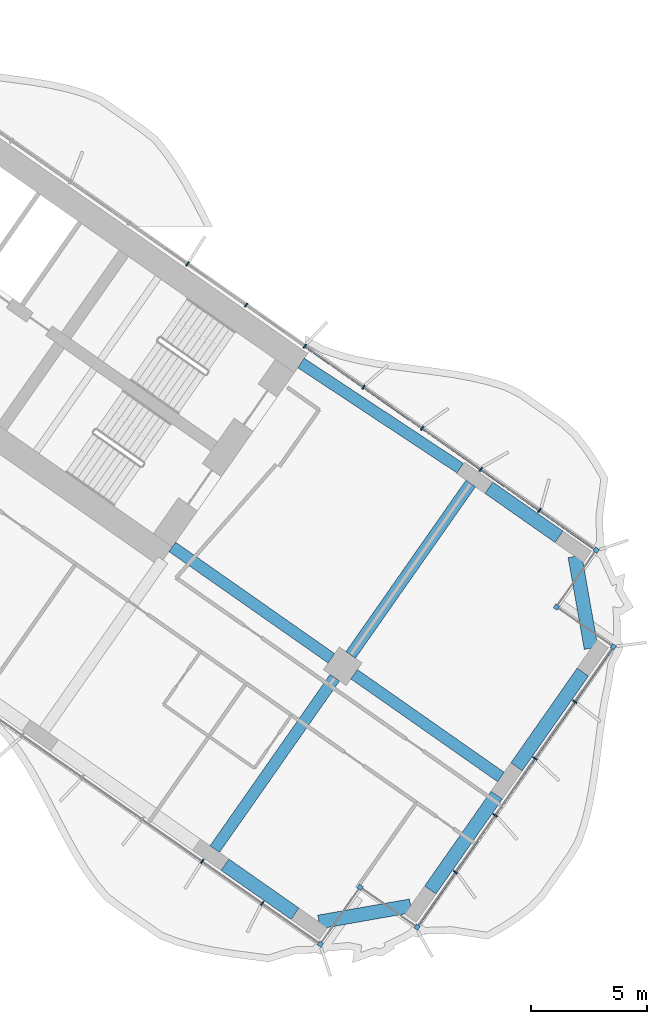
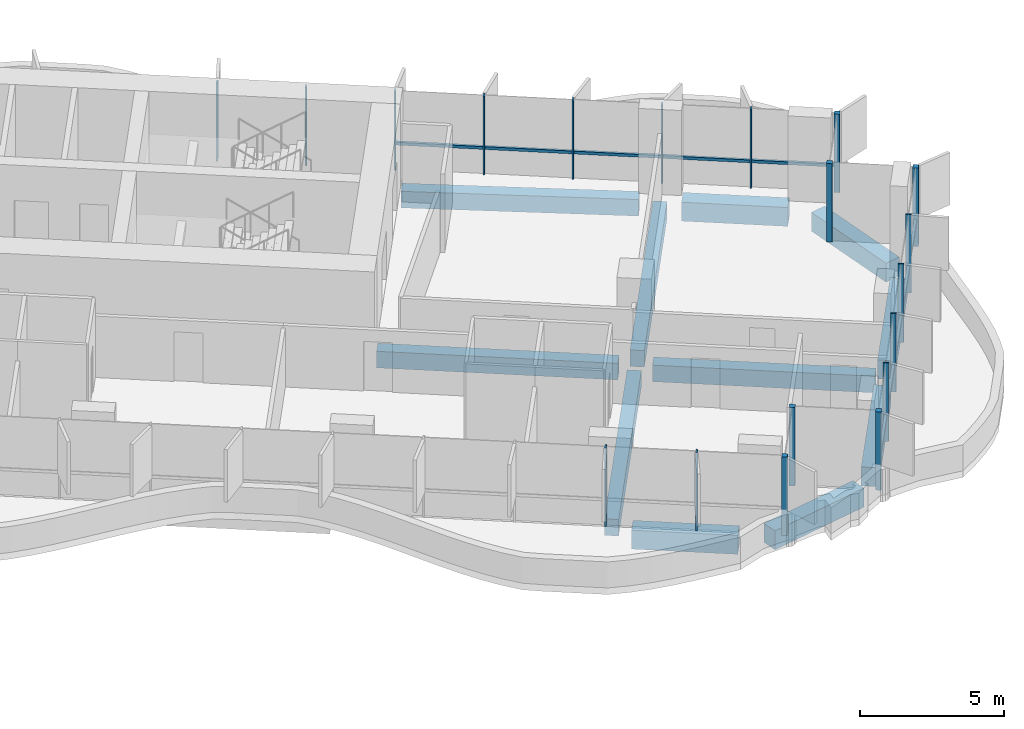
# One storey, part 9 of 22: 21 members, 11 beams, 2 elements without a shape of their own.
"""IFC4 building model written with IfcOpenShell, lengths in metres."""

from ifc_helpers import new_model, si_unit, direction, frame, origin, origin_2d, place, context, subcontext, project, spatial, rectangle, extrude, material, material_profile, profile_set, type_object, element, aggregate, save


model = new_model("IFC4")

# Units and contexts
model_context = context("Model", 3, precision=1e-05, world=origin(), true_north=direction((0.0, 1.0)))
body_context = subcontext(model_context, "Body", "Model", "MODEL_VIEW")
ifc_project = project(units=[si_unit("LENGTHUNIT", "METRE"), si_unit("AREAUNIT", "SQUARE_METRE"), si_unit("VOLUMEUNIT", "CUBIC_METRE"), si_unit("PLANEANGLEUNIT", "RADIAN"), si_unit("MASSUNIT", "GRAM", prefix="KILO")], contexts=[model_context])

# Site, building, storey
site_placement = place(None, origin())
site = spatial("IfcSite", under=ifc_project, at=site_placement, CompositionType="ELEMENT")
building_placement = place(site_placement, origin())
building = spatial("IfcBuilding", under=site, at=building_placement, Name="Tel Ilan Convention Tower", CompositionType="ELEMENT")
storey_placement = place(building_placement, frame((0.0, 0.0, 122.89990234375)))
storey = spatial("IfcBuildingStorey", under=building, at=storey_placement, Name="L27", CompositionType="ELEMENT", Elevation=122.89990234375)

# Beams
ifc_material_1 = material(Name="Concrete C40/50", Category="concrete")
ifc_material_profile_1 = material_profile(ifc_material_1, rectangle(XDim=0.5, YDim=0.699951171875, at=origin_2d()), Name="RC 500x700")
ifc_profile_set_1 = profile_set([ifc_material_profile_1], Name="Concrete C40/50")
beam_type_1 = type_object("IfcBeamType", Name="Beam RC 500x700 Concrete C40/50", PredefinedType="BEAM", material=ifc_profile_set_1)
beam_1_placement = place(storey_placement, frame((34.570556640625, -12.08447265625, -0.6298828125), z_axis=(-0.834273603487, 0.551350663847, 0.0), x_axis=(-0.551350663847, -0.834273603487, 0.0)))
element("IfcBeam", 1, at=beam_1_placement, inside=storey, type_object=beam_type_1, Name="L27 beam E-E-B4-core", PredefinedType="BEAM", context=body_context, shape_type="SweptSolid", body=[
    extrude(rectangle(XDim=0.5, YDim=0.699951171875, at=origin_2d()), origin(), (0.0, 0.0, 1.0), 8.2529296875),
])
beam_2_placement = place(storey_placement, frame((22.1171875, -15.486572265625, -0.6298828125), z_axis=(0.819147254605, -0.573583276668, 0.0), x_axis=(0.573583276668, 0.819147254605, 0.0)))
element("IfcBeam", 2, at=beam_2_placement, inside=storey, type_object=beam_type_1, Name="L27 beam E-core-E-M4", PredefinedType="BEAM", context=body_context, shape_type="SweptSolid", body=[
    extrude(rectangle(XDim=0.5, YDim=0.699951171875, at=origin_2d()), origin(), (0.0, 0.0, 1.0), 8.400146484375),
])
beam_3_placement = place(storey_placement, frame((29.98095703125, -20.992919921875, -0.6298828125), z_axis=(0.819159394801, -0.573565938589, 0.0), x_axis=(0.573565938589, 0.819159394801, 0.0)))
element("IfcBeam", 3, at=beam_3_placement, inside=storey, type_object=beam_type_1, Name="L27 beam E-E-M4-end", PredefinedType="BEAM", context=body_context, shape_type="SweptSolid", body=[
    extrude(rectangle(XDim=0.5, YDim=0.699951171875, at=origin_2d()), origin(), (0.0, 0.0, 1.0), 7.75),
])
for number, where, z_axis, x_axis, name in (
    (4, (29.145263671875, -21.14013671875, -0.6298828125), (-0.573549245583, -0.819171082798, 0.0), (0.819171082798, -0.573549245583, 0.0), "L27 beam E-E-M4-E-F4"),
    (5, (29.83349609375, -20.1572265625, -0.6298828125), (0.57358002233, 0.819149533348, 0.0), (-0.819149533348, 0.57358002233, 0.0), "L27 beam E-E-M4-E-B4"),
):
    element("IfcBeam", number, at=place(storey_placement, frame(where, z_axis=z_axis, x_axis=x_axis)), inside=storey, type_object=beam_type_1, Name=name, PredefinedType="BEAM", context=body_context, shape_type="SweptSolid", body=[
        extrude(rectangle(XDim=0.5, YDim=0.699951171875, at=origin_2d()), origin(), (0.0, 0.0, 1.0), 9.050048828125),
    ])
ifc_material_2 = material(Name="Concrete C40/50", Category="concrete")
ifc_material_profile_2 = material_profile(ifc_material_2, rectangle(XDim=0.60009765625, YDim=0.800048828125, at=origin_2d()), Name="RC 600x800")
ifc_profile_set_2 = profile_set([ifc_material_profile_2], Name="Concrete C40/50")
beam_type_2 = type_object("IfcBeamType", Name="Beam RC 600x800 Concrete C40/50", PredefinedType="BEAM", material=ifc_profile_set_2)
beam_4_placement = place(storey_placement, frame((24.396728515625, -29.2294921875, -0.679931640625), z_axis=(0.819132709951, -0.573604047656, 0.0), x_axis=(0.573604047656, 0.819132709951, 0.0)))
element("IfcBeam", 6, at=beam_4_placement, inside=storey, type_object=beam_type_2, Name="L27 beam E-E-F4-E-FC", PredefinedType="BEAM", context=body_context, shape_type="SweptSolid", body=[
    extrude(rectangle(XDim=0.60009765625, YDim=0.800048828125, at=origin_2d()), origin(), (0.0, 0.0, 1.0), 3.699951171875),
])
beam_5_placement = place(storey_placement, frame((28.459716796875, -31.708251953125, -0.679931640625), z_axis=(0.984806721117, 0.173654029734, 0.0), x_axis=(-0.173654029734, 0.984806721117, 0.0)))
element("IfcBeam", 7, at=beam_5_placement, inside=storey, type_object=beam_type_2, Name="L27 beam E-E-FC-E-E1", PredefinedType="BEAM", context=body_context, shape_type="SweptSolid", body=[
    extrude(rectangle(XDim=0.60009765625, YDim=0.800048828125, at=origin_2d()), origin(), (0.0, 0.0, 1.0), 4.03076171875),
])
for number, where, z_axis, x_axis, name in (
    (8, (33.277099609375, -30.3203125, -0.679931640625), (0.573586866468, 0.819144740944, 0.0), (-0.819144740944, 0.573586866468, 0.0), "L27 beam E-E-E1-E-E2"),
    (9, (37.00537109375, -24.995849609375, -0.679931640625), (0.573586866468, 0.819144740944, 0.0), (-0.819144740944, 0.573586866468, 0.0), "L27 beam E-E-E2-E-E3"),
):
    element("IfcBeam", number, at=place(storey_placement, frame(where, z_axis=z_axis, x_axis=x_axis)), inside=storey, type_object=beam_type_2, Name=name, PredefinedType="BEAM", context=body_context, shape_type="SweptSolid", body=[
        extrude(rectangle(XDim=0.60009765625, YDim=0.800048828125, at=origin_2d()), origin(), (0.0, 0.0, 1.0), 5.0),
    ])
beam_6_placement = place(storey_placement, frame((40.229736328125, -19.867919921875, -0.679931640625), z_axis=(-0.173664388751, 0.984804894423, 0.0), x_axis=(-0.984804894423, -0.173664388751, 0.0)))
element("IfcBeam", 10, at=beam_6_placement, inside=storey, type_object=beam_type_2, Name="L27 beam E-E-E3-E-BC", PredefinedType="BEAM", context=body_context, shape_type="SweptSolid", body=[
    extrude(rectangle(XDim=0.60009765625, YDim=0.800048828125, at=origin_2d()), origin(), (0.0, 0.0, 1.0), 4.030517578125),
])
beam_7_placement = place(storey_placement, frame((38.841796875, -15.050537109375, -0.679931640625), z_axis=(-0.819185419371, 0.573528768842, 0.0), x_axis=(-0.573528768842, -0.819185419371, 0.0)))
element("IfcBeam", 11, at=beam_7_placement, inside=storey, type_object=beam_type_2, Name="L27 beam E-E-BC-E-B4", PredefinedType="BEAM", context=body_context, shape_type="SweptSolid", body=[
    extrude(rectangle(XDim=0.60009765625, YDim=0.800048828125, at=origin_2d()), origin(), (0.0, 0.0, 1.0), 3.699951171875),
])

# Curtain wall, members
ifc_material_3 = material(Name="Aluminium, bronze anodised", Category="aluminium")
curtain_wall_type_1 = type_object("IfcCurtainWallType", Name="CW1 UNITISED CURTAIN WALL, HOTEL TINTED GLASS", PredefinedType="NOTDEFINED", material=ifc_material_3)
curtain_wall_1_placement = place(storey_placement, origin())
curtain_wall_1 = element("IfcCurtainWall", 12, at=curtain_wall_1_placement, inside=storey, type_object=curtain_wall_type_1, Name="Curtain wall CW1-21.02", PredefinedType="NOTDEFINED")
ifc_material_4 = material(Name="Aluminium, bronze anodised", Category="aluminium")
ifc_material_profile_3 = material_profile(ifc_material_4, rectangle(XDim=0.199951171875, YDim=0.199951171875, at=origin_2d()), Name="CW CORNER MULLION 200x200")
ifc_profile_set_3 = profile_set([ifc_material_profile_3], Name="Aluminium, bronze anodised")
member_type_1 = type_object("IfcMemberType", Name="CW CORNER MULLION 200x200", PredefinedType="MULLION", material=ifc_profile_set_3)
member_1_placement = place(storey_placement, frame((28.52099609375, -32.666748046875, 0.0), z_axis=(0.0, 0.0, 1.0), x_axis=(0.819152044289, -0.573576436351, 0.0)))
member_1 = element("IfcMember", 13, at=member_1_placement, type_object=member_type_1, Name="Corner mullion", PredefinedType="MULLION", context=body_context, shape_type="SweptSolid", body=[
    extrude(rectangle(XDim=0.199951171875, YDim=0.199951171875, at=origin_2d()), origin(), (0.0, 0.0, 1.0), 3.320068359375),
])
member_2_placement = place(storey_placement, frame((30.241943359375, -30.209228515625, 0.0), z_axis=(0.0, 0.0, 1.0), x_axis=(0.573576436351, 0.819152044289, 0.0)))
member_2 = element("IfcMember", 14, at=member_2_placement, type_object=member_type_1, Name="Corner mullion", PredefinedType="MULLION", context=body_context, shape_type="SweptSolid", body=[
    extrude(rectangle(XDim=0.199951171875, YDim=0.199951171875, at=origin_2d()), origin(), (0.0, 0.0, 1.0), 3.320068359375),
])
member_3_placement = place(storey_placement, frame((32.69921875, -31.929931640625, 0.0), z_axis=(0.0, 0.0, 1.0), x_axis=(0.819152044289, -0.573576436351, 0.0)))
member_3 = element("IfcMember", 15, at=member_3_placement, type_object=member_type_1, Name="Corner mullion", PredefinedType="MULLION", context=body_context, shape_type="SweptSolid", body=[
    extrude(rectangle(XDim=0.199951171875, YDim=0.199951171875, at=origin_2d()), origin(), (0.0, 0.0, 1.0), 3.320068359375),
])
member_4_placement = place(storey_placement, frame((41.188232421875, -19.806640625, 0.0), z_axis=(0.0, 0.0, 1.0), x_axis=(0.573576436351, 0.819152044289, 0.0)))
member_4 = element("IfcMember", 16, at=member_4_placement, type_object=member_type_1, Name="Corner mullion", PredefinedType="MULLION", context=body_context, shape_type="SweptSolid", body=[
    extrude(rectangle(XDim=0.199951171875, YDim=0.199951171875, at=origin_2d()), origin(), (0.0, 0.0, 1.0), 3.320068359375),
])
member_5_placement = place(storey_placement, frame((38.730712890625, -18.0859375, 0.0), z_axis=(0.0, 0.0, 1.0), x_axis=(-0.819152044289, 0.573576436351, 0.0)))
member_5 = element("IfcMember", 17, at=member_5_placement, type_object=member_type_1, Name="Corner mullion", PredefinedType="MULLION", context=body_context, shape_type="SweptSolid", body=[
    extrude(rectangle(XDim=0.199951171875, YDim=0.199951171875, at=origin_2d()), origin(), (0.0, 0.0, 1.0), 3.320068359375),
])
member_6_placement = place(storey_placement, frame((40.451416015625, -15.62841796875, 0.0), z_axis=(0.0, 0.0, 1.0), x_axis=(0.573576436351, 0.819152044289, 0.0)))
member_6 = element("IfcMember", 18, at=member_6_placement, type_object=member_type_1, Name="Corner mullion", PredefinedType="MULLION", context=body_context, shape_type="SweptSolid", body=[
    extrude(rectangle(XDim=0.199951171875, YDim=0.199951171875, at=origin_2d()), origin(), (0.0, 0.0, 1.0), 3.320068359375),
])

ifc_material_5 = material(Name="Aluminium, bronze anodised", Category="aluminium")
curtain_wall_type_2 = type_object("IfcCurtainWallType", Name="CW2 STICK CURTAIN WALL, SPANDREL PANELS", PredefinedType="NOTDEFINED", material=ifc_material_5)
curtain_wall_2_placement = place(storey_placement, origin())
curtain_wall_2 = element("IfcCurtainWall", 19, at=curtain_wall_2_placement, inside=storey, type_object=curtain_wall_type_2, Name="Curtain wall CW2-21.01", PredefinedType="NOTDEFINED")
ifc_material_6 = material(Name="Aluminium, bronze anodised", Category="aluminium")
ifc_material_profile_4 = material_profile(ifc_material_6, rectangle(XDim=0.06005859375, YDim=0.199951171875, at=origin_2d()), Name="CW MULLION 60x200")
ifc_profile_set_4 = profile_set([ifc_material_profile_4], Name="Aluminium, bronze anodised")
member_type_2 = type_object("IfcMemberType", Name="CW MULLION 60x200", PredefinedType="MULLION", material=ifc_profile_set_4)
member_7_placement = place(storey_placement, frame((27.848876953125, -6.803955078125, 0.0), z_axis=(0.0, 0.0, 1.0), x_axis=(-0.819152044289, 0.573576436351, 0.0)))
member_7 = element("IfcMember", 20, at=member_7_placement, type_object=member_type_2, Name="Mullion", PredefinedType="MULLION", context=body_context, shape_type="SweptSolid", body=[
    extrude(rectangle(XDim=0.06005859375, YDim=0.199951171875, at=origin_2d()), origin(), (0.0, 0.0, 1.0), 3.320068359375),
])
member_8_placement = place(storey_placement, frame((25.311767578125, -5.027587890625, 0.0), z_axis=(0.0, 0.0, 1.0), x_axis=(-0.819152044289, 0.573576436351, 0.0)))
member_8 = element("IfcMember", 21, at=member_8_placement, type_object=member_type_2, Name="Mullion", PredefinedType="MULLION", context=body_context, shape_type="SweptSolid", body=[
    extrude(rectangle(XDim=0.06005859375, YDim=0.199951171875, at=origin_2d()), origin(), (0.0, 0.0, 1.0), 3.320068359375),
])
member_9_placement = place(storey_placement, frame((22.77490234375, -3.251220703125, 0.0), z_axis=(0.0, 0.0, 1.0), x_axis=(-0.819152044289, 0.573576436351, 0.0)))
member_9 = element("IfcMember", 22, at=member_9_placement, type_object=member_type_2, Name="Mullion", PredefinedType="MULLION", context=body_context, shape_type="SweptSolid", body=[
    extrude(rectangle(XDim=0.06005859375, YDim=0.199951171875, at=origin_2d()), origin(), (0.0, 0.0, 1.0), 3.320068359375),
])
aggregate(curtain_wall_2, [member_7, member_8, member_9])

# Member
member_10_placement = place(storey_placement, frame((23.412841796875, -29.08984375, 0.0), z_axis=(0.0, 0.0, 1.0), x_axis=(0.819152044289, -0.573576436351, 0.0)))
member_10 = element("IfcMember", 23, at=member_10_placement, type_object=member_type_2, Name="Mullion", PredefinedType="MULLION", context=body_context, shape_type="SweptSolid", body=[
    extrude(rectangle(XDim=0.06005859375, YDim=0.199951171875, at=origin_2d()), origin(), (0.0, 0.0, 1.0), 3.320068359375),
])

member_11_placement = place(storey_placement, frame((26.008056640625, -30.906982421875, 0.0), z_axis=(0.0, 0.0, 1.0), x_axis=(0.819152044289, -0.573576436351, 0.0)))
member_11 = element("IfcMember", 24, at=member_11_placement, type_object=member_type_2, Name="Mullion", PredefinedType="MULLION", context=body_context, shape_type="SweptSolid", body=[
    extrude(rectangle(XDim=0.06005859375, YDim=0.199951171875, at=origin_2d()), origin(), (0.0, 0.0, 1.0), 3.320068359375),
])

member_12_placement = place(storey_placement, frame((34.362548828125, -29.554443359375, 0.0), z_axis=(0.0, 0.0, 1.0), x_axis=(0.573576436351, 0.819152044289, 0.0)))
member_12 = element("IfcMember", 25, at=member_12_placement, type_object=member_type_2, Name="Mullion", PredefinedType="MULLION", context=body_context, shape_type="SweptSolid", body=[
    extrude(rectangle(XDim=0.06005859375, YDim=0.199951171875, at=origin_2d()), origin(), (0.0, 0.0, 1.0), 3.320068359375),
])

member_13_placement = place(storey_placement, frame((36.08349609375, -27.096923828125, 0.0), z_axis=(0.0, 0.0, 1.0), x_axis=(0.573576436351, 0.819152044289, 0.0)))
member_13 = element("IfcMember", 26, at=member_13_placement, type_object=member_type_2, Name="Mullion", PredefinedType="MULLION", context=body_context, shape_type="SweptSolid", body=[
    extrude(rectangle(XDim=0.06005859375, YDim=0.199951171875, at=origin_2d()), origin(), (0.0, 0.0, 1.0), 3.320068359375),
])

member_14_placement = place(storey_placement, frame((37.80419921875, -24.6396484375, 0.0), z_axis=(0.0, 0.0, 1.0), x_axis=(0.573576436351, 0.819152044289, 0.0)))
member_14 = element("IfcMember", 27, at=member_14_placement, type_object=member_type_2, Name="Mullion", PredefinedType="MULLION", context=body_context, shape_type="SweptSolid", body=[
    extrude(rectangle(XDim=0.06005859375, YDim=0.199951171875, at=origin_2d()), origin(), (0.0, 0.0, 1.0), 3.320068359375),
])

member_15_placement = place(storey_placement, frame((39.52490234375, -22.18212890625, 0.0), z_axis=(0.0, 0.0, 1.0), x_axis=(0.573576436351, 0.819152044289, 0.0)))
member_15 = element("IfcMember", 28, at=member_15_placement, type_object=member_type_2, Name="Mullion", PredefinedType="MULLION", context=body_context, shape_type="SweptSolid", body=[
    extrude(rectangle(XDim=0.06005859375, YDim=0.199951171875, at=origin_2d()), origin(), (0.0, 0.0, 1.0), 3.320068359375),
])

member_16_placement = place(storey_placement, frame((37.99658203125, -13.909423828125, 0.0), z_axis=(0.0, 0.0, 1.0), x_axis=(-0.819152044289, 0.573576436351, 0.0)))
member_16 = element("IfcMember", 29, at=member_16_placement, type_object=member_type_2, Name="Mullion", PredefinedType="MULLION", context=body_context, shape_type="SweptSolid", body=[
    extrude(rectangle(XDim=0.06005859375, YDim=0.199951171875, at=origin_2d()), origin(), (0.0, 0.0, 1.0), 3.320068359375),
])

member_17_placement = place(storey_placement, frame((35.45947265625, -12.133056640625, 0.0), z_axis=(0.0, 0.0, 1.0), x_axis=(-0.819152044289, 0.573576436351, 0.0)))
member_17 = element("IfcMember", 30, at=member_17_placement, type_object=member_type_2, Name="Mullion", PredefinedType="MULLION", context=body_context, shape_type="SweptSolid", body=[
    extrude(rectangle(XDim=0.06005859375, YDim=0.199951171875, at=origin_2d()), origin(), (0.0, 0.0, 1.0), 3.320068359375),
])

member_18_placement = place(storey_placement, frame((32.922607421875, -10.356689453125, 0.0), z_axis=(0.0, 0.0, 1.0), x_axis=(-0.819152044289, 0.573576436351, 0.0)))
member_18 = element("IfcMember", 31, at=member_18_placement, type_object=member_type_2, Name="Mullion", PredefinedType="MULLION", context=body_context, shape_type="SweptSolid", body=[
    extrude(rectangle(XDim=0.06005859375, YDim=0.199951171875, at=origin_2d()), origin(), (0.0, 0.0, 1.0), 3.320068359375),
])

member_19_placement = place(storey_placement, frame((30.3857421875, -8.580322265625, 0.0), z_axis=(0.0, 0.0, 1.0), x_axis=(-0.819152044289, 0.573576436351, 0.0)))
member_19 = element("IfcMember", 32, at=member_19_placement, type_object=member_type_2, Name="Mullion", PredefinedType="MULLION", context=body_context, shape_type="SweptSolid", body=[
    extrude(rectangle(XDim=0.06005859375, YDim=0.199951171875, at=origin_2d()), origin(), (0.0, 0.0, 1.0), 3.320068359375),
])

ifc_material_7 = material(Name="Aluminium, bronze anodised", Category="aluminium")
ifc_material_profile_5 = material_profile(ifc_material_7, rectangle(XDim=0.10009765625, YDim=0.1201171875, at=origin_2d()), Name="CW TRANSOM 100x120")
ifc_profile_set_5 = profile_set([ifc_material_profile_5], Name="Aluminium, bronze anodised")
member_type_3 = type_object("IfcMemberType", Name="CW TRANSOM 100x120", PredefinedType="USERDEFINED", material=ifc_profile_set_5)
member_20_placement = place(storey_placement, frame((32.756591796875, -31.84814453125, 1.10009765625), z_axis=(0.573575688231, 0.819152568128, 0.0), x_axis=(-0.819152568128, 0.573575688231, 0.0)))
member_20 = element("IfcMember", 33, at=member_20_placement, type_object=member_type_3, Name="Transom", ObjectType="TRANSOM", PredefinedType="USERDEFINED", context=body_context, shape_type="SweptSolid", body=[
    extrude(rectangle(XDim=0.10009765625, YDim=0.1201171875, at=origin_2d()), origin(), (0.0, 0.0, 1.0), 14.60009765625),
])

member_21_placement = place(storey_placement, frame((40.36962890625, -15.571044921875, 1.10009765625), z_axis=(-0.819152967985, 0.573575117174, 0.0), x_axis=(-0.573575117174, -0.819152967985, 0.0)))
member_21 = element("IfcMember", 34, at=member_21_placement, type_object=member_type_3, Name="Transom", ObjectType="TRANSOM", PredefinedType="USERDEFINED", context=body_context, shape_type="SweptSolid", body=[
    extrude(rectangle(XDim=0.10009765625, YDim=0.1201171875, at=origin_2d()), origin(), (0.0, 0.0, 1.0), 15.255126953125),
])

aggregate(curtain_wall_1, [member_10, member_11, member_1, member_2, member_3, member_12, member_13, member_14, member_15, member_4, member_20, member_5, member_6, member_16, member_17, member_18, member_19, member_21])

save(model, "model.ifc")
